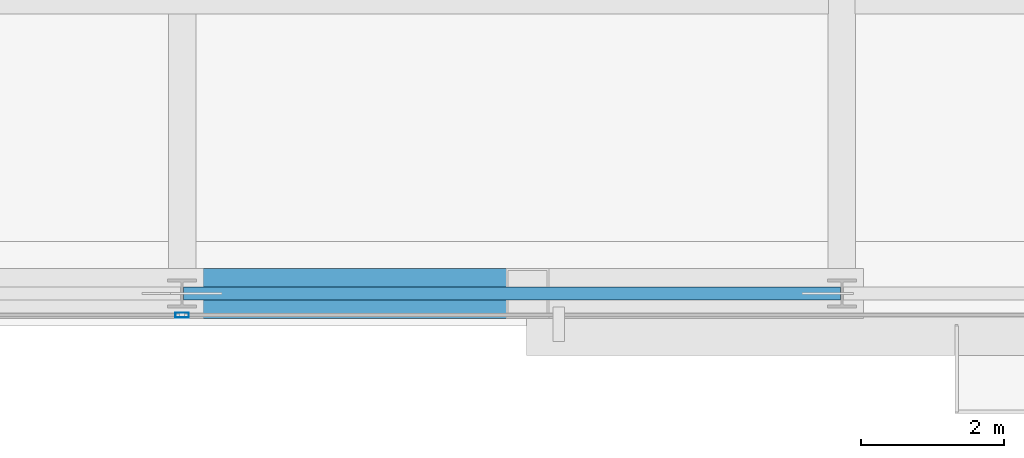
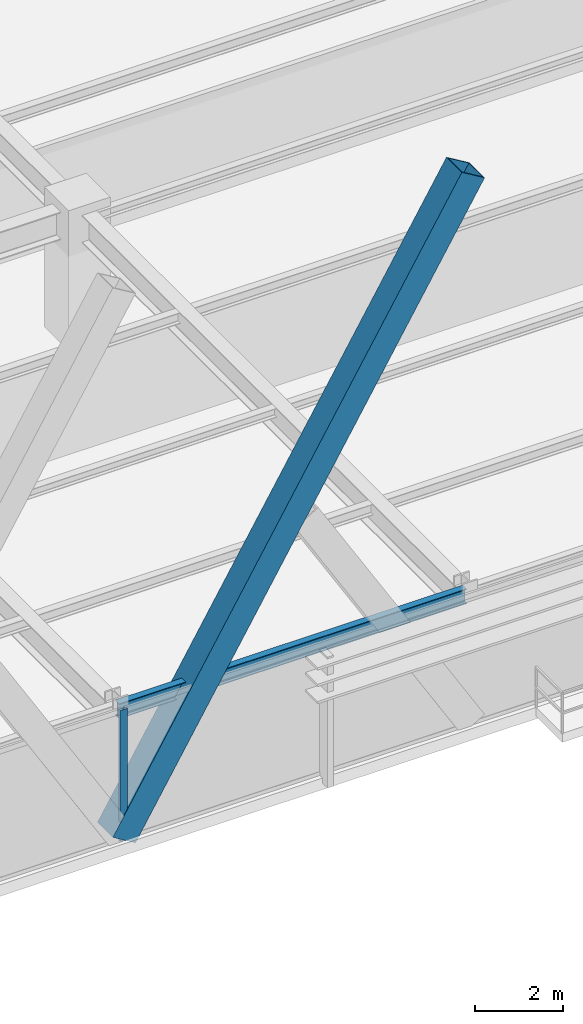
# One storey, part 11 of 34: 2 members, 1 beam, 1 element without a shape of its own.
"""IFC4 building model written with IfcOpenShell, lengths in metres."""

from ifc_helpers import new_model, si_unit, direction, frame, origin, origin_2d, place, context, subcontext, project, spatial, hollow_rectangle, i_section, extrude, source, transform, mapped, material, layer, layer_set, material_profile, profile_set, type_object, type_shapes, element, aggregate, save


model = new_model("IFC4")

# Units and contexts
model_context = context("Model", 3, precision=1e-05, world=origin(), true_north=direction((0.0, 1.0)))
body_context = subcontext(model_context, "Body", "Model", "MODEL_VIEW")
ifc_project = project(units=[si_unit("LENGTHUNIT", "METRE"), si_unit("AREAUNIT", "SQUARE_METRE"), si_unit("VOLUMEUNIT", "CUBIC_METRE"), si_unit("PLANEANGLEUNIT", "RADIAN"), si_unit("MASSUNIT", "GRAM", prefix="KILO")], contexts=[model_context])

# Site, building, storey
site_placement = place(None, origin())
site = spatial("IfcSite", under=ifc_project, at=site_placement, CompositionType="ELEMENT")
building_placement = place(site_placement, origin())
building = spatial("IfcBuilding", under=site, at=building_placement, Name="Varnel Quay Broadcast Tower", CompositionType="ELEMENT")
storey_placement = place(building_placement, frame((0.0, 0.0, 27.60009765625)))
storey = spatial("IfcBuildingStorey", under=building, at=storey_placement, Name="L05", CompositionType="ELEMENT", Elevation=27.60009765625)

# Beam
ifc_material_1 = material(Name="Structural Steel CSA G40.21 350W", Category="steel")
ifc_material_profile_1 = material_profile(ifc_material_1, i_section(OverallWidth=0.180908203125, OverallDepth=0.4169921875, WebThickness=0.010986328125, FlangeThickness=0.018310546875, FilletRadius=0.011962890625, at=origin_2d()), Name="W410X85")
ifc_profile_set_1 = profile_set([ifc_material_profile_1], Name="Structural Steel CSA G40.21 350W")
beam_type = type_object("IfcBeamType", Name="Beam_W410X85", PredefinedType="SPANDREL", material=ifc_profile_set_1)
shared_shape_1 = source(origin(), body_context, "Body", "SweptSolid", [
    extrude(i_section(OverallWidth=0.180908203125, OverallDepth=0.4169921875, WebThickness=0.010986328125, FlangeThickness=0.018310546875, FilletRadius=0.011962890625, at=origin_2d()), origin(), (0.0, 0.0, 1.0), 9.159912109375),
])
type_shapes(beam_type, [shared_shape_1])
beam_placement = place(storey_placement, frame((34.02001953125, 1.64990234375, 3.44140625), z_axis=(1.0, 0.0, 0.0), x_axis=(0.0, 1.0, 0.0)))
element("IfcBeam", 1, at=beam_placement, inside=storey, type_object=beam_type, Name="L05 South Spandrel TC-S3-TC-S4", PredefinedType="SPANDREL", context=body_context, shape_type="MappedRepresentation", body=[
    mapped(shared_shape_1, transform((0.0, 0.0, 0.0), x_axis=(1.0, 0.0, 0.0), y_axis=(0.0, 1.0, 0.0), z_axis=(0.0, 0.0, 1.0), scale=1.0)),
])

# Member
ifc_material_2 = material(Name="Structural Steel CSA G40.21 350WT", Category="steel")
ifc_material_profile_2 = material_profile(ifc_material_2, hollow_rectangle(XDim=0.699951171875, YDim=0.699951171875, WallThickness=0.031982421875, at=origin_2d()), Name="BOX700X700X32")
ifc_profile_set_2 = profile_set([ifc_material_profile_2], Name="Structural Steel CSA G40.21 350WT")
member_type_1 = type_object("IfcMemberType", Name="Brace_BOX700X700X32", PredefinedType="BRACE", material=ifc_profile_set_2)
shared_shape_2 = source(origin(), body_context, "Body", "SweptSolid", [
    extrude(hollow_rectangle(XDim=0.699951171875, YDim=0.699951171875, WallThickness=0.031982421875, at=origin_2d()), origin(), (0.0, 0.0, 1.0), 17.861328125),
])
type_shapes(member_type_1, [shared_shape_2])
member_1_placement = place(storey_placement, frame((34.0, 1.64990234375, 0.02001953125), z_axis=(0.515074544367, 0.0, 0.857145386586), x_axis=(0.0, 1.0, 0.0)))
element("IfcMember", 2, at=member_1_placement, inside=storey, type_object=member_type_1, Name="Zone 1 Mega-Brace S-C2T1 Continuous Diag A", PredefinedType="BRACE", context=body_context, shape_type="MappedRepresentation", body=[
    mapped(shared_shape_2, transform((0.0, 0.0, 0.0), x_axis=(1.0, 0.0, 0.0), y_axis=(0.0, 1.0, 0.0), z_axis=(0.0, 0.0, 1.0), scale=1.0)),
])

# Curtain wall, member
ifc_material_3 = material(Name="Anodised Bronze Aluminium 6063-T6", Category="aluminium")
ifc_layer = layer(ifc_material_3, 0.18994140625, Name="Anodised Bronze Aluminium 6063-T6")
ifc_layer_set = layer_set([ifc_layer], Name="Anodised Bronze Aluminium 6063-T6")
curtain_wall_type = type_object("IfcCurtainWallType", Name="CW_LowerTower", PredefinedType="NOTDEFINED", material=ifc_layer_set)
curtain_wall_placement = place(storey_placement, origin())
curtain_wall = element("IfcCurtainWall", 3, at=curtain_wall_placement, inside=storey, type_object=curtain_wall_type, Name="L05 South Unitised Curtain Wall 2", PredefinedType="NOTDEFINED")
ifc_material_profile_3 = material_profile(ifc_material_3, hollow_rectangle(XDim=0.070068359375, YDim=0.18994140625, WallThickness=0.00390625, at=origin_2d()), Name="ALU70X190X4")
ifc_profile_set_3 = profile_set([ifc_material_profile_3], Name="Anodised Bronze Aluminium 6063-T6")
member_type_2 = type_object("IfcMemberType", Name="Mull_CWS-02", PredefinedType="MULLION", material=ifc_profile_set_3)
shared_shape_3 = source(origin(), body_context, "Body", "SweptSolid", [
    extrude(hollow_rectangle(XDim=0.070068359375, YDim=0.18994140625, WallThickness=0.00390625, at=origin_2d()), origin(), (0.0, 0.0, 1.0), 3.64990234375),
])
type_shapes(member_type_2, [shared_shape_3])
member_2_placement = place(storey_placement, frame((34.0, 1.35009765625, 0.0), z_axis=(0.0, 0.0, 1.0), x_axis=(0.0, 1.0, 0.0)))
member_2 = element("IfcMember", 4, at=member_2_placement, type_object=member_type_2, Name="CWS-02 mullion 2", PredefinedType="MULLION", context=body_context, shape_type="MappedRepresentation", body=[
    mapped(shared_shape_3, transform((0.0, 0.0, 0.0), x_axis=(1.0, 0.0, 0.0), y_axis=(0.0, 1.0, 0.0), z_axis=(0.0, 0.0, 1.0), scale=1.0)),
])
aggregate(curtain_wall, [member_2])

save(model, "model.ifc")
